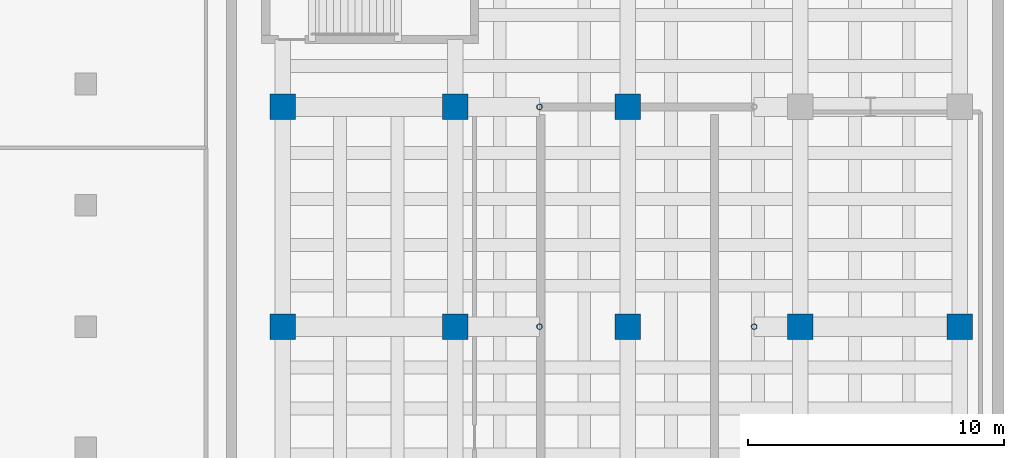
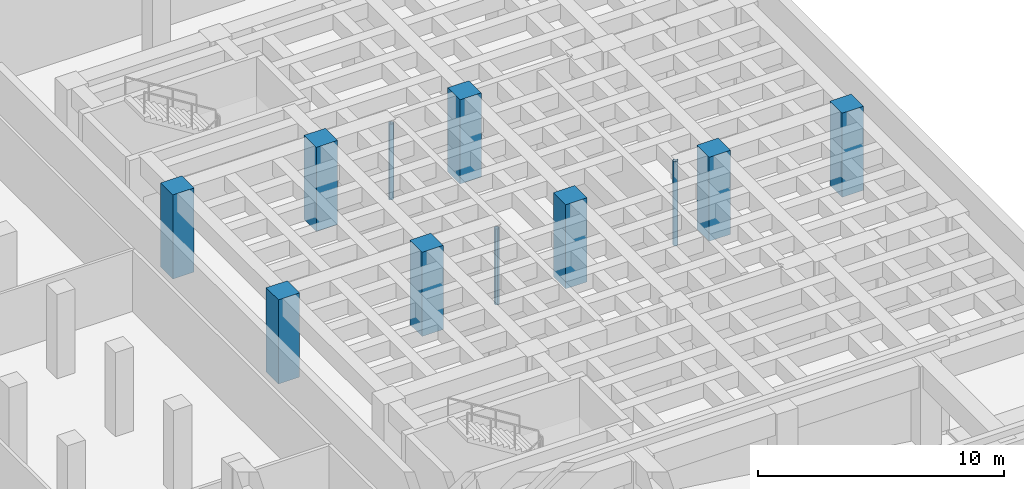
# One storey, part 3 of 13: 11 columns.
"""IFC4 building model written with IfcOpenShell, lengths in metres."""

from ifc_helpers import new_model, si_unit, direction, frame, origin, origin_2d, place, context, subcontext, project, spatial, rectangle, hollow_circle, extrude, material, material_profile, profile_set, type_object, element, save


model = new_model("IFC4")

# Units and contexts
model_context = context("Model", 3, precision=1e-05, world=origin(), true_north=direction((0.0, 1.0)))
body_context = subcontext(model_context, "Body", "Model", "MODEL_VIEW")
ifc_project = project(units=[si_unit("LENGTHUNIT", "METRE"), si_unit("AREAUNIT", "SQUARE_METRE"), si_unit("VOLUMEUNIT", "CUBIC_METRE"), si_unit("PLANEANGLEUNIT", "RADIAN"), si_unit("MASSUNIT", "GRAM", prefix="KILO")], contexts=[model_context])

# Site, building, storey
site_placement = place(None, origin())
site = spatial("IfcSite", under=ifc_project, at=site_placement, CompositionType="ELEMENT")
building_placement = place(site_placement, origin())
building = spatial("IfcBuilding", under=site, at=building_placement, Name="Korentha Bioscience Tower", CompositionType="ELEMENT")
storey_placement = place(building_placement, frame((0.0, 0.0, -4.5)))
storey = spatial("IfcBuildingStorey", under=building, at=storey_placement, Name="B1", CompositionType="ELEMENT", Elevation=-4.5)

# Columns
ifc_material_1 = material(Name="Concrete C50", Category="concrete")
ifc_material_profile_1 = material_profile(ifc_material_1, rectangle(XDim=1.0, YDim=1.0, at=origin_2d()), Name="Concrete C50")
ifc_profile_set_1 = profile_set([ifc_material_profile_1], Name="Concrete C50 (TC-I01)")
column_type_1 = type_object("IfcColumnType", Name="Theatre Interior Column RC 1000x1000", PredefinedType="COLUMN", material=ifc_profile_set_1)
for number, where, z_axis, x_axis, name in (
    (1, (66.5, 27.0, 0.0), (0.0, 0.0, 1.0), (1.0, 0.0, 0.0), "B1 Theatre Foundation Column 1-3"),
    (2, (66.5, 35.60009765625, 0.0), (0.0, 0.0, 1.0), (1.0, 0.0, 0.0), "B1 Theatre Foundation Column 1-4"),
    (3, (73.25, 27.0, 0.0), (0.0, 0.0, 1.0), (1.0, 0.0, 0.0), "B1 Theatre Foundation Column 2-3"),
    (4, (73.25, 35.60009765625, 0.0), (0.0, 0.0, 1.0), (1.0, 0.0, 0.0), "B1 Theatre Foundation Column 2-4"),
    (5, (80.0, 27.0, 0.0), (0.0, 0.0, 1.0), (1.0, 0.0, 0.0), "B1 Theatre Foundation Column 3-3"),
    (6, (80.0, 35.60009765625, 0.0), (0.0, 0.0, 1.0), (1.0, 0.0, 0.0), "B1 Theatre Foundation Column 3-4"),
    (7, (86.75, 27.0, 0.0), (0.0, 0.0, 1.0), (1.0, 0.0, 0.0), "B1 Theatre Foundation Column 4-3"),
    (8, (93.0, 27.0, 0.0), (0.0, 0.0, 1.0), (1.0, 0.0, 0.0), "B1 Theatre Foundation Column 5-3"),
):
    element("IfcColumn", number, at=place(storey_placement, frame(where, z_axis=z_axis, x_axis=x_axis)), inside=storey, type_object=column_type_1, Name=name, PredefinedType="COLUMN", context=body_context, shape_type="SweptSolid", body=[
        extrude(rectangle(XDim=1.0, YDim=1.0, at=origin_2d()), origin(), (0.0, 0.0, 1.0), 4.179931640625),
    ])
ifc_material_2 = material(Name="Steel S355", Category="steel")
ifc_material_profile_2 = material_profile(ifc_material_2, hollow_circle(Radius=0.109619140625, WallThickness=0.012451171875, at=origin_2d()), Name="Steel S355")
ifc_profile_set_2 = profile_set([ifc_material_profile_2], Name="Steel S355 (TC-P219)")
column_type_2 = type_object("IfcColumnType", Name="Theatre Tier Support Post CHS 219.1x12.5", PredefinedType="COLUMN", material=ifc_profile_set_2)
column_placement = place(storey_placement, frame((84.949951171875, 27.0, 0.0), z_axis=(0.0, 0.0, 1.0), x_axis=(1.0, 0.0, 0.0)))
element("IfcColumn", 9, at=column_placement, inside=storey, type_object=column_type_2, Name="B1 Auditorium Raker Support Column E-27", PredefinedType="COLUMN", context=body_context, shape_type="SweptSolid", body=[
    extrude(hollow_circle(Radius=0.109619140625, WallThickness=0.012451171875, at=origin_2d()), origin(), (0.0, 0.0, 1.0), 4.179931640625),
])
for number, where, z_axis, x_axis, name in (
    (10, (76.550048828125, 27.0, 0.0), (0.0, 0.0, 1.0), (1.0, 0.0, 0.0), "B1 Auditorium Raker Support Column W-27"),
    (11, (76.550048828125, 35.60009765625, 0.0), (0.0, 0.0, 1.0), (1.0, 0.0, 0.0), "B1 Auditorium Raker Support Column W-35"),
):
    element("IfcColumn", number, at=place(storey_placement, frame(where, z_axis=z_axis, x_axis=x_axis)), inside=storey, type_object=column_type_2, Name=name, PredefinedType="COLUMN", context=body_context, shape_type="SweptSolid", body=[
        extrude(hollow_circle(Radius=0.109619140625, WallThickness=0.012451171875, at=origin_2d()), origin(), (0.0, 0.0, 1.0), 3.77490234375),
    ])

save(model, "model.ifc")
